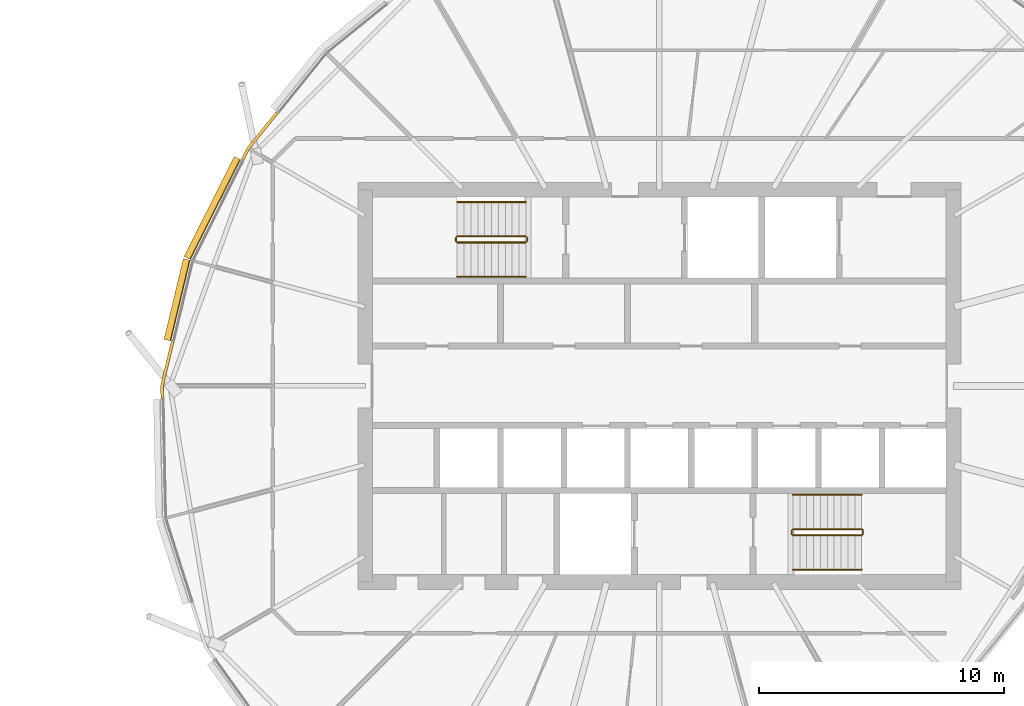
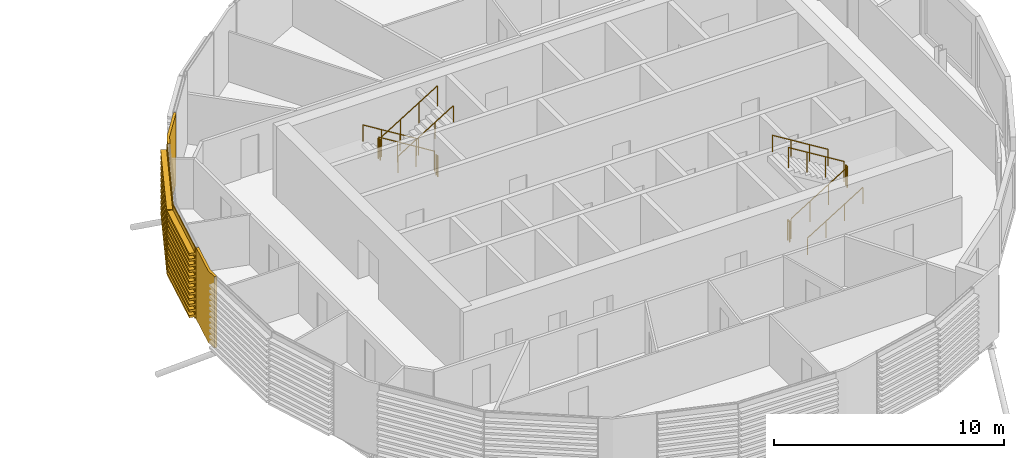
# One storey, part 35 of 36: 12 railings, 4 coverings.
"""IFC4 building model written with IfcOpenShell, lengths in metres."""

from ifc_helpers import new_model, si_unit, direction, frame, origin, origin_2d, place, context, subcontext, project, spatial, polyline, circle, outline, extrude, material, layer, layer_set, material_profile, profile_set, type_object, element, save


model = new_model("IFC4")

# Units and contexts
model_context = context("Model", 3, precision=1e-05, world=origin(), true_north=direction((0.0, 1.0)))
body_context = subcontext(model_context, "Body", "Model", "MODEL_VIEW")
ifc_project = project(units=[si_unit("LENGTHUNIT", "METRE"), si_unit("AREAUNIT", "SQUARE_METRE"), si_unit("VOLUMEUNIT", "CUBIC_METRE"), si_unit("PLANEANGLEUNIT", "RADIAN"), si_unit("MASSUNIT", "GRAM", prefix="KILO")], contexts=[model_context])

# Site, building, storey
site_placement = place(None, origin())
site = spatial("IfcSite", under=ifc_project, at=site_placement, CompositionType="ELEMENT")
building_placement = place(site_placement, origin())
building = spatial("IfcBuilding", under=site, at=building_placement, Name="Rimbun Link Towers", CompositionType="ELEMENT")
storey_placement = place(building_placement, frame((0.0, 0.0, 200.699951171875)))
storey = spatial("IfcBuildingStorey", under=building, at=storey_placement, Name="L49", CompositionType="ELEMENT", Elevation=200.699951171875)

# Coverings
ifc_material_1 = material(Name="Terracotta", Category="masonry")
ifc_layer = layer(ifc_material_1, 0.1201171875)
ifc_layer_set = layer_set([ifc_layer], Name="LINK PIER terracotta cladding 120")
covering_type_1 = type_object("IfcCoveringType", Name="LINK PIER terracotta cladding 120", PredefinedType="CLADDING", material=ifc_layer_set)
covering_1_placement = place(storey_placement, origin())
element("IfcCovering", 1, at=covering_1_placement, inside=storey, type_object=covering_type_1, Name="LINK PIER cladding", PredefinedType="CLADDING", context=body_context, shape_type="SweptSolid", body=[
    extrude(outline(polyline([(14.790771484375, 9.19189453125), (15.024169921875, 9.65673828125), (16.20068359375, 11.110107421875), (16.107421875, 11.185791015625), (14.9228515625, 9.72216796875), (14.68359375, 9.245849609375), (14.790771484375, 9.19189453125)])), origin(), (0.0, 0.0, 1.0), 3.800048828125),
])
covering_2_placement = place(storey_placement, origin())
element("IfcCovering", 2, at=covering_2_placement, inside=storey, type_object=covering_type_1, Name="LINK PIER cladding", PredefinedType="CLADDING", context=body_context, shape_type="SweptSolid", body=[
    extrude(outline(polyline([(11.52587890625, -0.519775390625), (11.514892578125, 0.0), (11.938232421875, 1.77001953125), (11.821533203125, 1.798095703125), (11.39453125, 0.012939453125), (11.40576171875, -0.5224609375), (11.52587890625, -0.519775390625)])), origin(), (0.0, 0.0, 1.0), 3.800048828125),
])

# Railings
ifc_material_2 = material(Name="Stainless steel grade 316", Category="steel")
railing_type_1 = type_object("IfcRailingType", Name="Stair guard", PredefinedType="GUARDRAIL", material=ifc_material_2)
railing_1_placement = place(storey_placement, frame((26.300048828125, 6.10009765625, 0.1728515625)))
element("IfcRailing", 3, at=railing_1_placement, inside=storey, type_object=railing_type_1, Name="L49 ST3 stair guard 1", PredefinedType="GUARDRAIL", context=body_context, shape_type="SweptSolid", body=[
    extrude(circle(Radius=0.02392578125, at=origin_2d()), frame((0.0, 0.0, 1.076171875), z_axis=(-0.851089632645, 0.0, 0.525020415988), x_axis=(0.0, -1.0, 0.0)), (0.0, 0.0, 1.0), 3.2900390625),
    extrude(circle(Radius=0.02099609375, at=origin_2d()), origin(), (0.0, 0.0, 1.0), 1.052001953125),
    extrude(circle(Radius=0.02099609375, at=origin_2d()), frame((-0.933349609375, 0.0, 0.57568359375)), (0.0, 0.0, 1.0), 1.052001953125),
    extrude(circle(Radius=0.02099609375, at=origin_2d()), frame((-1.86669921875, 0.0, 1.151611328125)), (0.0, 0.0, 1.0), 1.052001953125),
    extrude(circle(Radius=0.02099609375, at=origin_2d()), frame((-2.800048828125, 0.0, 1.727294921875)), (0.0, 0.0, 1.0), 1.052001953125),
])
railing_2_placement = place(storey_placement, frame((23.449951171875, 6.050048828125, 1.900146484375)))
element("IfcRailing", 4, at=railing_2_placement, inside=storey, type_object=railing_type_1, Name="L49 ST3 stair guard 2", PredefinedType="GUARDRAIL", context=body_context, shape_type="SweptSolid", body=[
    extrude(circle(Radius=0.02392578125, at=origin_2d()), frame((0.0, 0.0, 1.076171875), z_axis=(0.0, -1.0, 0.0), x_axis=(1.0, 0.0, 0.0)), (0.0, 0.0, 1.0), 0.150146484375),
    extrude(circle(Radius=0.02099609375, at=origin_2d()), origin(), (0.0, 0.0, 1.0), 1.052001953125),
    extrude(circle(Radius=0.02099609375, at=origin_2d()), frame((0.0, -0.150146484375, 0.0)), (0.0, 0.0, 1.0), 1.052001953125),
])
railing_3_placement = place(storey_placement, frame((23.5, 5.85009765625, 2.07275390625)))
element("IfcRailing", 5, at=railing_3_placement, inside=storey, type_object=railing_type_1, Name="L49 ST3 stair guard 3", PredefinedType="GUARDRAIL", context=body_context, shape_type="SweptSolid", body=[
    extrude(circle(Radius=0.02392578125, at=origin_2d()), frame((0.0, 0.0, 1.076171875), z_axis=(0.851089632645, 0.0, 0.525020415988), x_axis=(0.0, 1.0, 0.0)), (0.0, 0.0, 1.0), 3.2900390625),
    extrude(circle(Radius=0.02099609375, at=origin_2d()), origin(), (0.0, 0.0, 1.0), 1.052001953125),
    extrude(circle(Radius=0.02099609375, at=origin_2d()), frame((0.933349609375, 0.0, 0.57568359375)), (0.0, 0.0, 1.0), 1.052001953125),
    extrude(circle(Radius=0.02099609375, at=origin_2d()), frame((1.86669921875, 0.0, 1.151611328125)), (0.0, 0.0, 1.0), 1.052001953125),
    extrude(circle(Radius=0.02099609375, at=origin_2d()), frame((2.800048828125, 0.0, 1.727294921875)), (0.0, 0.0, 1.0), 1.052001953125),
])
railing_4_placement = place(storey_placement, frame((26.35009765625, 6.050048828125, 0.0)))
element("IfcRailing", 6, at=railing_4_placement, inside=storey, type_object=railing_type_1, Name="L49 ST3 stair guard 4", PredefinedType="GUARDRAIL", context=body_context, shape_type="SweptSolid", body=[
    extrude(circle(Radius=0.02392578125, at=origin_2d()), frame((0.0, 0.0, 1.076171875), z_axis=(0.0, -1.0, 0.0), x_axis=(1.0, 0.0, 0.0)), (0.0, 0.0, 1.0), 0.150146484375),
    extrude(circle(Radius=0.02099609375, at=origin_2d()), origin(), (0.0, 0.0, 1.0), 1.052001953125),
    extrude(circle(Radius=0.02099609375, at=origin_2d()), frame((0.0, -0.150146484375, 0.0)), (0.0, 0.0, 1.0), 1.052001953125),
])
railing_5_placement = place(storey_placement, frame((37.199951171875, -6.10009765625, 0.1728515625)))
element("IfcRailing", 7, at=railing_5_placement, inside=storey, type_object=railing_type_1, Name="L49 ST4 stair guard 1", PredefinedType="GUARDRAIL", context=body_context, shape_type="SweptSolid", body=[
    extrude(circle(Radius=0.02392578125, at=origin_2d()), frame((0.0, 0.0, 1.076171875), z_axis=(0.851089632645, 0.0, 0.525020415988), x_axis=(0.0, 1.0, 0.0)), (0.0, 0.0, 1.0), 3.2900390625),
    extrude(circle(Radius=0.02099609375, at=origin_2d()), origin(), (0.0, 0.0, 1.0), 1.052001953125),
    extrude(circle(Radius=0.02099609375, at=origin_2d()), frame((0.933349609375, 0.0, 0.57568359375)), (0.0, 0.0, 1.0), 1.052001953125),
    extrude(circle(Radius=0.02099609375, at=origin_2d()), frame((1.86669921875, 0.0, 1.151611328125)), (0.0, 0.0, 1.0), 1.052001953125),
    extrude(circle(Radius=0.02099609375, at=origin_2d()), frame((2.800048828125, 0.0, 1.727294921875)), (0.0, 0.0, 1.0), 1.052001953125),
])
railing_6_placement = place(storey_placement, frame((40.050048828125, -6.050048828125, 1.900146484375)))
element("IfcRailing", 8, at=railing_6_placement, inside=storey, type_object=railing_type_1, Name="L49 ST4 stair guard 2", PredefinedType="GUARDRAIL", context=body_context, shape_type="SweptSolid", body=[
    extrude(circle(Radius=0.02392578125, at=origin_2d()), frame((0.0, 0.0, 1.076171875), z_axis=(0.0, 1.0, 0.0), x_axis=(-1.0, 0.0, 0.0)), (0.0, 0.0, 1.0), 0.150146484375),
    extrude(circle(Radius=0.02099609375, at=origin_2d()), origin(), (0.0, 0.0, 1.0), 1.052001953125),
    extrude(circle(Radius=0.02099609375, at=origin_2d()), frame((0.0, 0.150146484375, 0.0)), (0.0, 0.0, 1.0), 1.052001953125),
])
railing_7_placement = place(storey_placement, frame((40.0, -5.85009765625, 2.07275390625)))
element("IfcRailing", 9, at=railing_7_placement, inside=storey, type_object=railing_type_1, Name="L49 ST4 stair guard 3", PredefinedType="GUARDRAIL", context=body_context, shape_type="SweptSolid", body=[
    extrude(circle(Radius=0.02392578125, at=origin_2d()), frame((0.0, 0.0, 1.076171875), z_axis=(-0.851089632645, 0.0, 0.525020415988), x_axis=(0.0, -1.0, 0.0)), (0.0, 0.0, 1.0), 3.2900390625),
    extrude(circle(Radius=0.02099609375, at=origin_2d()), origin(), (0.0, 0.0, 1.0), 1.052001953125),
    extrude(circle(Radius=0.02099609375, at=origin_2d()), frame((-0.933349609375, 0.0, 0.57568359375)), (0.0, 0.0, 1.0), 1.052001953125),
    extrude(circle(Radius=0.02099609375, at=origin_2d()), frame((-1.86669921875, 0.0, 1.151611328125)), (0.0, 0.0, 1.0), 1.052001953125),
    extrude(circle(Radius=0.02099609375, at=origin_2d()), frame((-2.800048828125, 0.0, 1.727294921875)), (0.0, 0.0, 1.0), 1.052001953125),
])
railing_8_placement = place(storey_placement, frame((37.14990234375, -6.050048828125, 0.0)))
element("IfcRailing", 10, at=railing_8_placement, inside=storey, type_object=railing_type_1, Name="L49 ST4 stair guard 4", PredefinedType="GUARDRAIL", context=body_context, shape_type="SweptSolid", body=[
    extrude(circle(Radius=0.02392578125, at=origin_2d()), frame((0.0, 0.0, 1.076171875), z_axis=(0.0, 1.0, 0.0), x_axis=(-1.0, 0.0, 0.0)), (0.0, 0.0, 1.0), 0.150146484375),
    extrude(circle(Radius=0.02099609375, at=origin_2d()), origin(), (0.0, 0.0, 1.0), 1.052001953125),
    extrude(circle(Radius=0.02099609375, at=origin_2d()), frame((0.0, 0.150146484375, 0.0)), (0.0, 0.0, 1.0), 1.052001953125),
])
ifc_material_3 = material(Name="Stainless steel grade 316", Category="steel")
railing_type_2 = type_object("IfcRailingType", Name="Stair handrail", PredefinedType="HANDRAIL", material=ifc_material_3)
railing_9_placement = place(storey_placement, frame((26.300048828125, 7.5, 0.1728515625)))
element("IfcRailing", 11, at=railing_9_placement, inside=storey, type_object=railing_type_2, Name="L49 ST3 stair handrail 1", PredefinedType="HANDRAIL", context=body_context, shape_type="SweptSolid", body=[
    extrude(circle(Radius=0.02392578125, at=origin_2d()), frame((0.0, 0.0, 0.8759765625), z_axis=(-0.851089632645, 0.0, 0.525020415988), x_axis=(0.0, -1.0, 0.0)), (0.0, 0.0, 1.0), 3.2900390625),
    extrude(circle(Radius=0.02099609375, at=origin_2d()), origin(), (0.0, 0.0, 1.0), 0.851806640625),
    extrude(circle(Radius=0.02099609375, at=origin_2d()), frame((-0.933349609375, 0.0, 0.57568359375)), (0.0, 0.0, 1.0), 0.851806640625),
    extrude(circle(Radius=0.02099609375, at=origin_2d()), frame((-1.86669921875, 0.0, 1.151611328125)), (0.0, 0.0, 1.0), 0.851806640625),
    extrude(circle(Radius=0.02099609375, at=origin_2d()), frame((-2.800048828125, 0.0, 1.727294921875)), (0.0, 0.0, 1.0), 0.851806640625),
])
for number, where, name in (
    (12, (23.5, 4.449951171875, 2.07275390625), "L49 ST3 stair handrail 2"),
    (13, (37.199951171875, -7.5, 0.1728515625), "L49 ST4 stair handrail 1"),
):
    element("IfcRailing", number, at=place(storey_placement, frame(where)), inside=storey, type_object=railing_type_2, Name=name, PredefinedType="HANDRAIL", context=body_context, shape_type="SweptSolid", body=[
        extrude(circle(Radius=0.02392578125, at=origin_2d()), frame((0.0, 0.0, 0.8759765625), z_axis=(0.851089632645, 0.0, 0.525020415988), x_axis=(0.0, 1.0, 0.0)), (0.0, 0.0, 1.0), 3.2900390625),
        extrude(circle(Radius=0.02099609375, at=origin_2d()), origin(), (0.0, 0.0, 1.0), 0.851806640625),
        extrude(circle(Radius=0.02099609375, at=origin_2d()), frame((0.933349609375, 0.0, 0.57568359375)), (0.0, 0.0, 1.0), 0.851806640625),
        extrude(circle(Radius=0.02099609375, at=origin_2d()), frame((1.86669921875, 0.0, 1.151611328125)), (0.0, 0.0, 1.0), 0.851806640625),
        extrude(circle(Radius=0.02099609375, at=origin_2d()), frame((2.800048828125, 0.0, 1.727294921875)), (0.0, 0.0, 1.0), 0.851806640625),
    ])
railing_10_placement = place(storey_placement, frame((40.0, -4.449951171875, 2.07275390625)))
element("IfcRailing", 14, at=railing_10_placement, inside=storey, type_object=railing_type_2, Name="L49 ST4 stair handrail 2", PredefinedType="HANDRAIL", context=body_context, shape_type="SweptSolid", body=[
    extrude(circle(Radius=0.02392578125, at=origin_2d()), frame((0.0, 0.0, 0.8759765625), z_axis=(-0.851089632645, 0.0, 0.525020415988), x_axis=(0.0, -1.0, 0.0)), (0.0, 0.0, 1.0), 3.2900390625),
    extrude(circle(Radius=0.02099609375, at=origin_2d()), origin(), (0.0, 0.0, 1.0), 0.851806640625),
    extrude(circle(Radius=0.02099609375, at=origin_2d()), frame((-0.933349609375, 0.0, 0.57568359375)), (0.0, 0.0, 1.0), 0.851806640625),
    extrude(circle(Radius=0.02099609375, at=origin_2d()), frame((-1.86669921875, 0.0, 1.151611328125)), (0.0, 0.0, 1.0), 0.851806640625),
    extrude(circle(Radius=0.02099609375, at=origin_2d()), frame((-2.800048828125, 0.0, 1.727294921875)), (0.0, 0.0, 1.0), 0.851806640625),
])

# Coverings
ifc_material_4 = material(Name="Terracotta", Category="masonry")
ifc_material_profile = material_profile(ifc_material_4, outline(polyline([(0.123046875, 0.0), (0.1630859375, 0.0), (0.1630859375, 0.10009765625), (0.423095703125, 0.10009765625), (0.423095703125, 0.219970703125), (0.1630859375, 0.219970703125), (0.1630859375, 0.39990234375), (0.423095703125, 0.39990234375), (0.423095703125, 0.52001953125), (0.1630859375, 0.52001953125), (0.1630859375, 0.699951171875), (0.423095703125, 0.699951171875), (0.423095703125, 0.820068359375), (0.1630859375, 0.820068359375), (0.1630859375, 1.0), (0.423095703125, 1.0), (0.423095703125, 1.1201171875), (0.1630859375, 1.1201171875), (0.1630859375, 1.300048828125), (0.423095703125, 1.300048828125), (0.423095703125, 1.419921875), (0.1630859375, 1.419921875), (0.1630859375, 1.60009765625), (0.423095703125, 1.60009765625), (0.423095703125, 1.719970703125), (0.1630859375, 1.719970703125), (0.1630859375, 1.89990234375), (0.423095703125, 1.89990234375), (0.423095703125, 2.02001953125), (0.1630859375, 2.02001953125), (0.1630859375, 2.199951171875), (0.423095703125, 2.199951171875), (0.423095703125, 2.320068359375), (0.1630859375, 2.320068359375), (0.1630859375, 2.5), (0.423095703125, 2.5), (0.423095703125, 2.6201171875), (0.1630859375, 2.6201171875), (0.1630859375, 2.800048828125), (0.423095703125, 2.800048828125), (0.423095703125, 2.919921875), (0.1630859375, 2.919921875), (0.1630859375, 3.10009765625), (0.423095703125, 3.10009765625), (0.423095703125, 3.219970703125), (0.1630859375, 3.219970703125), (0.1630859375, 3.39990234375), (0.423095703125, 3.39990234375), (0.423095703125, 3.52001953125), (0.1630859375, 3.52001953125), (0.1630859375, 3.800048828125), (0.123046875, 3.800048828125), (0.123046875, 0.0)])), Name="BAGUETTE 120X300")
ifc_profile_set = profile_set([ifc_material_profile], Name="Terracotta")
covering_type_2 = type_object("IfcCoveringType", Name="TERRACOTTA BAGUETTE 120X300 H3800", PredefinedType="CLADDING", material=ifc_profile_set)
covering_3_placement = place(storey_placement, frame((12.733642578125, 5.095458984375, 0.0), z_axis=(0.448756854381, 0.893653895894, 0.0), x_axis=(-0.893653895894, 0.448756854381, 0.0)))
element("IfcCovering", 15, at=covering_3_placement, inside=storey, type_object=covering_type_2, Name="TERRACOTTA BAGUETTE", PredefinedType="CLADDING", context=body_context, shape_type="SweptSolid", body=[
    extrude(outline(polyline([(0.123046875, 0.0), (0.1630859375, 0.0), (0.1630859375, 0.10009765625), (0.423095703125, 0.10009765625), (0.423095703125, 0.219970703125), (0.1630859375, 0.219970703125), (0.1630859375, 0.39990234375), (0.423095703125, 0.39990234375), (0.423095703125, 0.52001953125), (0.1630859375, 0.52001953125), (0.1630859375, 0.699951171875), (0.423095703125, 0.699951171875), (0.423095703125, 0.820068359375), (0.1630859375, 0.820068359375), (0.1630859375, 1.0), (0.423095703125, 1.0), (0.423095703125, 1.1201171875), (0.1630859375, 1.1201171875), (0.1630859375, 1.300048828125), (0.423095703125, 1.300048828125), (0.423095703125, 1.419921875), (0.1630859375, 1.419921875), (0.1630859375, 1.60009765625), (0.423095703125, 1.60009765625), (0.423095703125, 1.719970703125), (0.1630859375, 1.719970703125), (0.1630859375, 1.89990234375), (0.423095703125, 1.89990234375), (0.423095703125, 2.02001953125), (0.1630859375, 2.02001953125), (0.1630859375, 2.199951171875), (0.423095703125, 2.199951171875), (0.423095703125, 2.320068359375), (0.1630859375, 2.320068359375), (0.1630859375, 2.5), (0.423095703125, 2.5), (0.423095703125, 2.6201171875), (0.1630859375, 2.6201171875), (0.1630859375, 2.800048828125), (0.423095703125, 2.800048828125), (0.423095703125, 2.919921875), (0.1630859375, 2.919921875), (0.1630859375, 3.10009765625), (0.423095703125, 3.10009765625), (0.423095703125, 3.219970703125), (0.1630859375, 3.219970703125), (0.1630859375, 3.39990234375), (0.423095703125, 3.39990234375), (0.423095703125, 3.52001953125), (0.1630859375, 3.52001953125), (0.1630859375, 3.800048828125), (0.123046875, 3.800048828125), (0.123046875, 0.0)])), origin(), (0.0, 0.0, 1.0), 4.55419921875),
])
covering_4_placement = place(storey_placement, frame((11.9453125, 1.79931640625, 0.0), z_axis=(0.2326072833, 0.972570743831, 0.0), x_axis=(-0.972570743831, 0.2326072833, 0.0)))
element("IfcCovering", 16, at=covering_4_placement, inside=storey, type_object=covering_type_2, Name="TERRACOTTA BAGUETTE", PredefinedType="CLADDING", context=body_context, shape_type="SweptSolid", body=[
    extrude(outline(polyline([(0.123046875, 0.0), (0.1630859375, 0.0), (0.1630859375, 0.10009765625), (0.423095703125, 0.10009765625), (0.423095703125, 0.219970703125), (0.1630859375, 0.219970703125), (0.1630859375, 0.39990234375), (0.423095703125, 0.39990234375), (0.423095703125, 0.52001953125), (0.1630859375, 0.52001953125), (0.1630859375, 0.699951171875), (0.423095703125, 0.699951171875), (0.423095703125, 0.820068359375), (0.1630859375, 0.820068359375), (0.1630859375, 1.0), (0.423095703125, 1.0), (0.423095703125, 1.1201171875), (0.1630859375, 1.1201171875), (0.1630859375, 1.300048828125), (0.423095703125, 1.300048828125), (0.423095703125, 1.419921875), (0.1630859375, 1.419921875), (0.1630859375, 1.60009765625), (0.423095703125, 1.60009765625), (0.423095703125, 1.719970703125), (0.1630859375, 1.719970703125), (0.1630859375, 1.89990234375), (0.423095703125, 1.89990234375), (0.423095703125, 2.02001953125), (0.1630859375, 2.02001953125), (0.1630859375, 2.199951171875), (0.423095703125, 2.199951171875), (0.423095703125, 2.320068359375), (0.1630859375, 2.320068359375), (0.1630859375, 2.5), (0.423095703125, 2.5), (0.423095703125, 2.6201171875), (0.1630859375, 2.6201171875), (0.1630859375, 2.800048828125), (0.423095703125, 2.800048828125), (0.423095703125, 2.919921875), (0.1630859375, 2.919921875), (0.1630859375, 3.10009765625), (0.423095703125, 3.10009765625), (0.423095703125, 3.219970703125), (0.1630859375, 3.219970703125), (0.1630859375, 3.39990234375), (0.423095703125, 3.39990234375), (0.423095703125, 3.52001953125), (0.1630859375, 3.52001953125), (0.1630859375, 3.800048828125), (0.123046875, 3.800048828125), (0.123046875, 0.0)])), origin(), (0.0, 0.0, 1.0), 3.38916015625),
])

save(model, "model.ifc")
